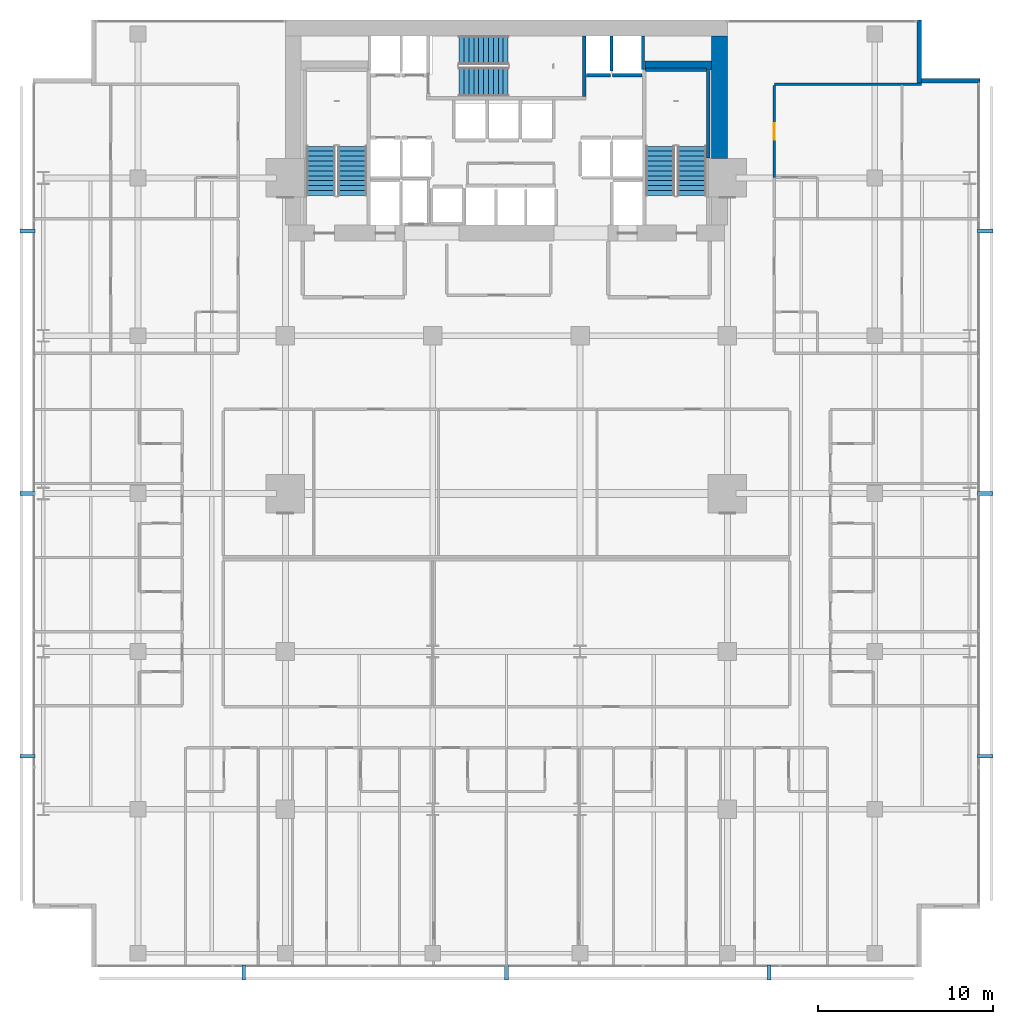
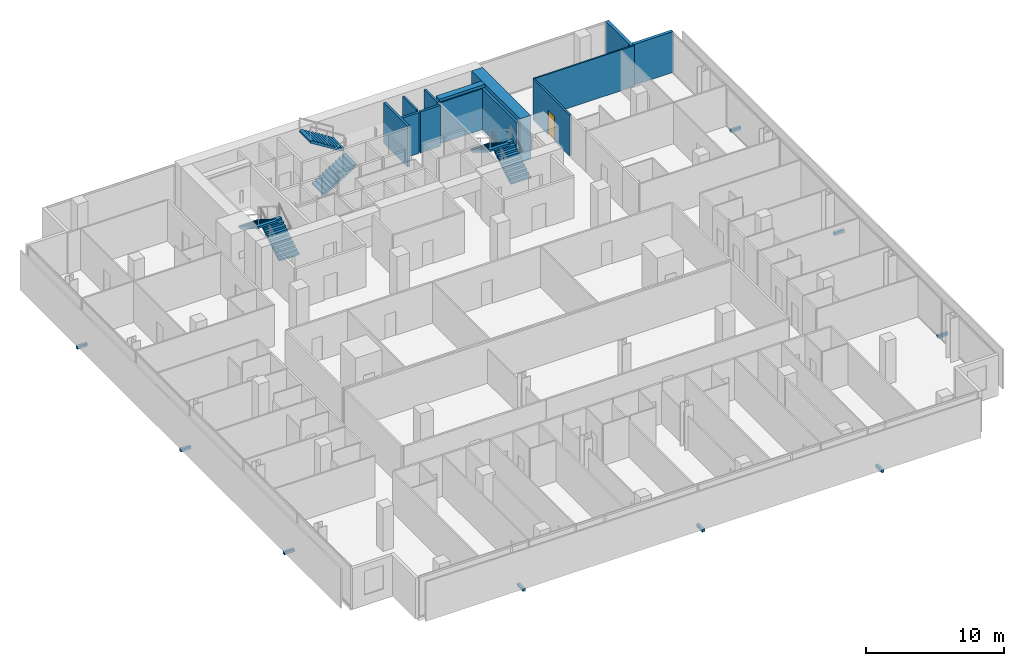
# One storey, part 38 of 40: 13 walls, 9 discrete accessories, 6 stair flights, 1 door, 1 opening, 3 elements without a shape of their own.
"""IFC4 building model written with IfcOpenShell, lengths in metres."""

import ifcopenshell
import ifcopenshell.guid

model = None  # the IFC model being written
_history = None  # IfcOwnerHistory: only IFC2X3 demands one
_inside = {}  # id of a spatial element -> (the spatial element, [elements in it])
_under = {}  # id of a project, library or spatial element -> (it, [spatial elements below it])
_declared = {}  # id of a project -> (the project, [libraries it declares])
_typed = {}  # id of a type object -> (the type object, [elements of that type])
_made_of = {}  # id of a material, layer set ... -> (it, [elements and type objects made of it])


def new_model(schema):
    """Start an empty IFC model of exactly this schema.

    Asked for "IFC4X3", IfcOpenShell would pick the latest addendum, in which some entities
    have other attributes; the version numbers below select the first issue.
    IFC2X3 requires an IfcOwnerHistory on every rooted entity: one is made here for all.
    """
    global model, _history
    if schema == "IFC4X3":
        model = ifcopenshell.file(schema_version=(4, 3, 0, 0))
    else:
        model = ifcopenshell.file(schema=schema)
    _inside.clear()
    _under.clear()
    _declared.clear()
    _typed.clear()
    _made_of.clear()
    _history = None
    if model.schema == "IFC2X3":
        org = make("IfcOrganization", Name="unknown")
        user = make(
            "IfcPersonAndOrganization",
            ThePerson=make("IfcPerson", FamilyName="unknown"),
            TheOrganization=org,
        )
        app = make(
            "IfcApplication",
            ApplicationDeveloper=org,
            Version="unknown",
            ApplicationFullName="unknown",
            ApplicationIdentifier="unknown",
        )
        _history = make(
            "IfcOwnerHistory",
            OwningUser=user,
            OwningApplication=app,
            ChangeAction="ADDED",
            CreationDate=0,
        )
    return model


def make(cls, **values):
    """One entity of the class cls with the attributes given. An attribute that is None is left unset."""
    return model.create_entity(
        cls, **{name: value for name, value in values.items() if value is not None}
    )


def rooted(cls, **values):
    """An entity with a GlobalId (a new one), such as an element, a storey or a relation."""
    return make(cls, GlobalId=ifcopenshell.guid.new(), OwnerHistory=_history, **values)


def si_unit(unit_type, name, prefix=None):
    """IfcSIUnit, for example si_unit("LENGTHUNIT", "METRE", prefix="MILLI")."""
    return make("IfcSIUnit", UnitType=unit_type, Prefix=prefix, Name=name)


def assignment(units):
    """IfcUnitAssignment: the units of a project."""
    return None if units is None else make("IfcUnitAssignment", Units=units)


def point(xyz):
    """IfcCartesianPoint."""
    return None if xyz is None else make("IfcCartesianPoint", Coordinates=xyz)


def direction(xyz):
    """IfcDirection."""
    return None if xyz is None else make("IfcDirection", DirectionRatios=xyz)


def frame(location, z_axis=None, x_axis=None):
    """IfcAxis2Placement3D, a coordinate frame: its origin and axes. An axis left out is left unset."""
    return make(
        "IfcAxis2Placement3D",
        Location=point(location),
        Axis=direction(z_axis),
        RefDirection=direction(x_axis),
    )


def frame_2d(location, x_axis=None):
    """IfcAxis2Placement2D, a coordinate frame in the plane: its origin and x axis."""
    return make(
        "IfcAxis2Placement2D", Location=point(location), RefDirection=direction(x_axis)
    )


def origin():
    """The frame at (0, 0, 0) with its axes left unset."""
    return frame((0.0, 0.0, 0.0))


def origin_2d():
    """The frame at (0, 0) in the plane with its x axis left unset."""
    return frame_2d((0.0, 0.0))


def place(relative_to, where):
    """IfcLocalPlacement: puts the frame where relative to a parent placement (None: the world)."""
    return make(
        "IfcLocalPlacement", PlacementRelTo=relative_to, RelativePlacement=where
    )


def context(
    kind, dimensions, precision=None, world=None, true_north=None, identifier=None
):
    """IfcGeometricRepresentationContext, for example the 3D "Model" context."""
    return make(
        "IfcGeometricRepresentationContext",
        ContextIdentifier=identifier,
        ContextType=kind,
        CoordinateSpaceDimension=dimensions,
        Precision=precision,
        WorldCoordinateSystem=world,
        TrueNorth=true_north,
    )


def subcontext(parent, identifier, kind, view, scale=None):
    """IfcGeometricRepresentationSubContext, for example "Body" below "Model"."""
    return make(
        "IfcGeometricRepresentationSubContext",
        ContextIdentifier=identifier,
        ContextType=kind,
        ParentContext=parent,
        TargetScale=scale,
        TargetView=view,
    )


def project(units=None, contexts=None):
    """IfcProject with its units and contexts."""
    return rooted(
        "IfcProject",
        Name="project",
        RepresentationContexts=contexts,
        UnitsInContext=assignment(units),
    )


def spatial(cls, under=None, at=None, **own):
    """A site, building, storey or space (cls), placed at a placement, below another one or the project."""
    s = rooted(cls, ObjectPlacement=at, **own)
    if under is not None:
        _under.setdefault(under.id(), (under, []))[1].append(s)
    return s


def polyline(points):
    """IfcPolyline through the points."""
    return make("IfcPolyline", Points=[point(p) for p in points])


def profile(cls, at=None, kind="AREA", **sizes):
    """A parametric profile (cls). Its sizes go by their IFC names, for example OverallWidth=200.0."""
    return make(cls, ProfileType=kind, Position=at, **sizes)


def rectangle(**sizes):
    """IfcRectangleProfileDef."""
    return profile("IfcRectangleProfileDef", **sizes)


def outline(outer, holes=None, kind="AREA"):
    """IfcArbitraryClosedProfileDef: a profile drawn as a closed curve; with holes, ...WithVoids."""
    if holes is None:
        return make("IfcArbitraryClosedProfileDef", ProfileType=kind, OuterCurve=outer)
    return make(
        "IfcArbitraryProfileDefWithVoids",
        ProfileType=kind,
        OuterCurve=outer,
        InnerCurves=holes,
    )


def extrude(swept, where, along, depth):
    """IfcExtrudedAreaSolid: the profile swept, set in the frame where, extruded along a direction by depth."""
    return make(
        "IfcExtrudedAreaSolid",
        SweptArea=swept,
        Position=where,
        ExtrudedDirection=direction(along),
        Depth=depth,
    )


def shape(context_of_items, identifier, shape_type, items):
    """IfcShapeRepresentation: the items that make up one representation, for example the "Body"."""
    return make(
        "IfcShapeRepresentation",
        ContextOfItems=context_of_items,
        RepresentationIdentifier=identifier,
        RepresentationType=shape_type,
        Items=items,
    )


def material(Name=None, Category=None):
    """IfcMaterial."""
    return make("IfcMaterial", Name=Name, Category=Category)


def layer(
    of_material, thickness, ventilated=None, Name=None, Category=None, Priority=None
):
    """IfcMaterialLayer: one layer of a wall or slab, of a material (None: an air gap)."""
    return make(
        "IfcMaterialLayer",
        Material=of_material,
        LayerThickness=thickness,
        IsVentilated=ventilated,
        Name=Name,
        Category=Category,
        Priority=Priority,
    )


def layer_set(layers, Name=None):
    """IfcMaterialLayerSet."""
    return make("IfcMaterialLayerSet", MaterialLayers=layers, LayerSetName=Name)


def made_of(thing, what):
    """Note that an element or type object is made of a material, layer set ...; save() writes the relation."""
    if what is not None:
        _made_of.setdefault(what.id(), (what, []))[1].append(thing)
    return thing


def type_object(cls, material=None, **own):
    """A type object (cls), such as IfcWallType, which elements share."""
    return made_of(rooted(cls, **own), material)


def element(
    cls,
    number,
    at=None,
    inside=None,
    cuts=None,
    type_object=None,
    material=None,
    context=None,
    identifier="Body",
    shape_type=None,
    held_by="IfcProductDefinitionShape",
    body=None,
    shapes=None,
    **own,
):
    """One element of the class cls, such as IfcWall. Its Tag is "e" and its number.

    at: its placement. inside: the storey or other place that contains it. cuts: it is an
    opening in that element (IfcRelVoidsElement). A single representation is given by context,
    identifier, shape_type and body (its items); several are given by shapes. held_by: the class
    of the entity that holds the representations. save() writes the other relations.
    """
    e = rooted(cls, Tag="e%d" % number, ObjectPlacement=at, **own)
    if body is not None:
        shapes = [shape(context, identifier, shape_type, body)]
    if shapes is not None:
        e.Representation = make(held_by, Representations=shapes)
    if inside is not None:
        _inside.setdefault(inside.id(), (inside, []))[1].append(e)
    if cuts is not None:
        rooted(
            "IfcRelVoidsElement", RelatingBuildingElement=cuts, RelatedOpeningElement=e
        )
    if type_object is not None:
        _typed.setdefault(type_object.id(), (type_object, []))[1].append(e)
    return made_of(e, material)


def fill(opening, filler):
    """IfcRelFillsElement: the door or window that sits in an opening."""
    return rooted(
        "IfcRelFillsElement",
        RelatingOpeningElement=opening,
        RelatedBuildingElement=filler,
    )


def aggregate(whole, parts):
    """IfcRelAggregates: a whole, such as a stair, and the parts it consists of."""
    return rooted("IfcRelAggregates", RelatingObject=whole, RelatedObjects=parts)


def save(model, path):
    """Write the relations noted so far, then the file.

    IfcRelAggregates (storeys below a building ...), IfcRelContainedInSpatialStructure (elements
    in a storey), IfcRelDefinesByType, IfcRelAssociatesMaterial and IfcRelDeclares: one each for
    every whole, place, type object, material and project.
    """
    for whole, parts in _under.values():
        aggregate(whole, parts)
    for where, things in _inside.values():
        rooted(
            "IfcRelContainedInSpatialStructure",
            RelatedElements=things,
            RelatingStructure=where,
        )
    for kind, things in _typed.values():
        rooted("IfcRelDefinesByType", RelatedObjects=things, RelatingType=kind)
    for what, things in _made_of.values():
        rooted("IfcRelAssociatesMaterial", RelatedObjects=things, RelatingMaterial=what)
    for by, libraries in _declared.values():
        rooted("IfcRelDeclares", RelatingContext=by, RelatedDefinitions=libraries)
    model.write(path)


model = new_model("IFC4")

# Units and contexts
model_context = context("Model", 3, precision=1e-05, world=origin(), true_north=direction((0.0, 1.0)))
body_context = subcontext(model_context, "Body", "Model", "MODEL_VIEW")
ifc_project = project(units=[si_unit("LENGTHUNIT", "METRE"), si_unit("AREAUNIT", "SQUARE_METRE"), si_unit("VOLUMEUNIT", "CUBIC_METRE"), si_unit("PLANEANGLEUNIT", "RADIAN"), si_unit("MASSUNIT", "GRAM", prefix="KILO")], contexts=[model_context])

# Site, building, storey
site_placement = place(None, origin())
site = spatial("IfcSite", under=ifc_project, at=site_placement, CompositionType="ELEMENT")
building_placement = place(site_placement, origin())
building = spatial("IfcBuilding", under=site, at=building_placement, Name="Maruvema Waterfront Hotel and Observation Tower", CompositionType="ELEMENT")
storey_placement = place(building_placement, frame((0.0, 0.0, 30.800048828125)))
storey = spatial("IfcBuildingStorey", under=building, at=storey_placement, Name="L06", CompositionType="ELEMENT", Elevation=30.800048828125)

# Wall, opening, door
ifc_material_1 = material(Name="Twin-stud acoustic gypsum drywall", Category="gypsum")
ifc_layer_1 = layer(ifc_material_1, 0.14990234375, Name="Acoustic Corridor and Suite Demising Wall 150 mm")
ifc_layer_set_1 = layer_set([ifc_layer_1], Name="Twin-stud acoustic gypsum drywall")
wall_type_1 = type_object("IfcWallType", Name="Acoustic Corridor and Suite Demising Wall 150 mm", PredefinedType="PARTITIONING", material=ifc_layer_set_1)
wall_1_placement = place(storey_placement, frame((53.080078125, 45.018798828125, 0.0), z_axis=(0.0, 0.0, 1.0), x_axis=(0.0, 1.0, 0.0)))
wall_1 = element("IfcWall", 1, at=wall_1_placement, inside=storey, type_object=wall_type_1, Name="L06 Room L06-NE2 Corridor Wall 139", PredefinedType="PARTITIONING", context=body_context, shape_type="SweptSolid", body=[
    extrude(rectangle(XDim=5.2587890625, YDim=0.14990234375, at=frame_2d((2.62939453125, 0.0))), origin(), (0.0, 0.0, 1.0), 3.60986328125),
])
opening_placement = place(wall_1_placement, frame((2.154296875, 0.0, 0.0)))
opening = element("IfcOpeningElement", 2, at=opening_placement, cuts=wall_1, Name="Opening DR-095", PredefinedType="OPENING", context=body_context, shape_type="SweptSolid", body=[
    extrude(rectangle(XDim=0.949951171875, YDim=2.14990234375, at=frame_2d((0.47509765625, 1.074951171875))), frame((0.0, 0.0849609375, 0.0), z_axis=(0.0, -1.0, 0.0), x_axis=(1.0, 0.0, 0.0)), (0.0, 0.0, 1.0), 0.169921875),
])
ifc_material_2 = material(Name="Acoustic solid-core hardwood timber leaf", Category="wood")
door_type = type_object("IfcDoorType", Name="Guestroom Entrance Fire Door 950x2150 mm", OperationType="NOTDEFINED", PredefinedType="DOOR", material=ifc_material_2)
door_placement = place(opening_placement, frame((0.949951171875, 0.0, 0.0), z_axis=(0.0, 0.0, 1.0), x_axis=(-1.0, 0.0, 0.0)))
door = element("IfcDoor", 3, at=door_placement, inside=storey, type_object=door_type, Name="L06 Room L06-NE2 Entrance Door", OperationType="SINGLE_SWING_LEFT", OverallHeight=2.14990234375, OverallWidth=0.949951171875, PredefinedType="DOOR", context=body_context, shape_type="SweptSolid", body=[
    extrude(rectangle(XDim=0.949951171875, YDim=2.14990234375, at=frame_2d((0.47509765625, 1.074951171875))), frame((0.0, 0.02490234375, 0.0), z_axis=(0.0, -1.0, 0.0), x_axis=(1.0, 0.0, 0.0)), (0.0, 0.0, 1.0), 0.050048828125),
])
fill(opening, door)

# Walls
ifc_material_3 = material(Name="Precast concrete C45/55", Category="concrete")
ifc_layer_2 = layer(ifc_material_3, 0.199951171875, Name="Core Shaft and Stairwell Enclosure Wall 200 mm")
ifc_layer_set_2 = layer_set([ifc_layer_2], Name="Precast concrete C45/55")
wall_type_2 = type_object("IfcWallType", Name="Core Shaft and Stairwell Enclosure Wall 200 mm", PredefinedType="SOLIDWALL", material=ifc_layer_set_2)
wall_2_placement = place(storey_placement, frame((42.25, 49.64990234375, 0.0), z_axis=(0.0, 0.0, 1.0), x_axis=(0.0, 1.0, 0.0)))
element("IfcWall", 4, at=wall_2_placement, inside=storey, type_object=wall_type_2, Name="L06 Stairwell ST-02 Shaft Wall", PredefinedType="SOLIDWALL", context=body_context, shape_type="SweptSolid", body=[
    extrude(rectangle(XDim=3.4501953125, YDim=0.199951171875, at=frame_2d((1.72509765625, 0.0))), origin(), (0.0, 0.0, 1.0), 3.60986328125),
])
wall_3_placement = place(storey_placement, frame((49.300048828125, 46.1201171875, 0.0), z_axis=(0.0, 0.0, 1.0), x_axis=(0.0, 1.0, 0.0)))
element("IfcWall", 5, at=wall_3_placement, inside=storey, type_object=wall_type_2, Name="L06 Stairwell ST-03 Shaft Lining Wall", PredefinedType="SOLIDWALL", context=body_context, shape_type="SweptSolid", body=[
    extrude(rectangle(XDim=5.0, YDim=0.199951171875, at=frame_2d((2.5, 0.0))), origin(), (0.0, 0.0, 1.0), 3.60986328125),
])
wall_4_placement = place(storey_placement, frame((45.719970703125, 51.14990234375, 0.0), z_axis=(0.0, 0.0, 1.0), x_axis=(1.0, 0.0, 0.0)))
element("IfcWall", 6, at=wall_4_placement, inside=storey, type_object=wall_type_2, Name="L06 Stairwell ST-03 Shaft Lining Wall", PredefinedType="SOLIDWALL", context=body_context, shape_type="SweptSolid", body=[
    extrude(rectangle(XDim=3.5, YDim=0.199951171875, at=frame_2d((1.75, 0.0))), origin(), (0.0, 0.0, 1.0), 3.60986328125),
])
wall_5_placement = place(storey_placement, frame((42.360107421875, 50.85009765625, 0.0), z_axis=(0.0, 0.0, 1.0), x_axis=(1.0, 0.0, 0.0)))
element("IfcWall", 7, at=wall_5_placement, inside=storey, type_object=wall_type_2, Name="L06 Lift LF-07 Hoistway Front Wall", PredefinedType="SOLIDWALL", context=body_context, shape_type="SweptSolid", body=[
    extrude(rectangle(XDim=1.3798828125, YDim=0.199951171875, at=frame_2d((0.68994140625, 0.0))), origin(), (0.0, 0.0, 1.0), 3.60986328125),
])
wall_6_placement = place(storey_placement, frame((43.860107421875, 50.85009765625, 0.0), z_axis=(0.0, 0.0, 1.0), x_axis=(1.0, 0.0, 0.0)))
element("IfcWall", 8, at=wall_6_placement, inside=storey, type_object=wall_type_2, Name="L06 Lift LF-08 Hoistway Front Wall", PredefinedType="SOLIDWALL", context=body_context, shape_type="SweptSolid", body=[
    extrude(rectangle(XDim=1.679931640625, YDim=0.199951171875, at=frame_2d((0.83984375, 0.0))), origin(), (0.0, 0.0, 1.0), 3.60986328125),
])
ifc_material_4 = material(Name="Concrete C70/85", Category="concrete")
ifc_layer_3 = layer(ifc_material_4, 0.5, Name="Core Shear Wall 500 mm")
ifc_layer_set_3 = layer_set([ifc_layer_3], Name="Concrete C70/85")
wall_type_3 = type_object("IfcWallType", Name="Core Shear Wall 500 mm", PredefinedType="SHEAR", material=ifc_layer_set_3)
wall_7_placement = place(storey_placement, frame((45.699951171875, 51.39990234375, 0.0), z_axis=(0.0, 0.0, 1.0), x_axis=(1.0, 0.0, 0.0)))
element("IfcWall", 9, at=wall_7_placement, inside=storey, type_object=wall_type_3, Name="L06 Internal Core Shear Wall NE 500 mm", PredefinedType="SHEAR", context=body_context, shape_type="SweptSolid", body=[
    extrude(rectangle(XDim=3.800048828125, YDim=0.5, at=frame_2d((1.89990234375, 0.0))), origin(), (0.0, 0.0, 1.0), 3.849853515625),
])
ifc_material_5 = material(Name="Concrete C80/95", Category="concrete")
ifc_layer_4 = layer(ifc_material_5, 0.89990234375, Name="Core Shear Wall 900 mm")
ifc_layer_set_4 = layer_set([ifc_layer_4], Name="Concrete C80/95")
wall_type_4 = type_object("IfcWallType", Name="Core Shear Wall 900 mm", PredefinedType="SHEAR", material=ifc_layer_set_4)
wall_8_placement = place(storey_placement, frame((49.949951171875, 46.10009765625, 0.0), z_axis=(0.0, 0.0, 1.0), x_axis=(0.0, 1.0, 0.0)))
element("IfcWall", 10, at=wall_8_placement, inside=storey, type_object=wall_type_4, Name="L06 East-North Core Shear Wall", PredefinedType="SHEAR", context=body_context, shape_type="SweptSolid", body=[
    extrude(rectangle(XDim=7.0, YDim=0.89990234375, at=frame_2d((3.5, 0.0))), origin(), (0.0, 0.0, 1.0), 3.849853515625),
])
ifc_material_6 = material(Name="Precast concrete C45/55 with honed Pernambuco granite facing", Category="masonry")
ifc_layer_5 = layer(ifc_material_6, 0.260009765625, Name="Exterior Granite Clad Spandrel and Pier Wall 260 mm")
ifc_layer_set_5 = layer_set([ifc_layer_5], Name="Precast concrete C45/55 with honed Pernambuco granite facing")
wall_type_5 = type_object("IfcWallType", Name="Exterior Granite Clad Spandrel and Pier Wall 260 mm", PredefinedType="SOLIDWALL", material=ifc_layer_set_5)
for number, where, z_axis, x_axis, name in (
    (11, (61.330078125, 54.0, 0.0), (0.0, 0.0, 1.0), (0.0, -1.0, 0.0), "L06 Corner Notch Granite Pier Wall NE1"),
    (12, (61.199951171875, 50.530029296875, 0.0), (0.0, 0.0, 1.0), (1.0, 0.0, 0.0), "L06 Corner Notch Granite Pier Wall NE2"),
):
    element("IfcWall", number, at=place(storey_placement, frame(where, z_axis=z_axis, x_axis=x_axis)), inside=storey, type_object=wall_type_5, Name=name, PredefinedType="SOLIDWALL", context=body_context, shape_type="SweptSolid", body=[
        extrude(rectangle(XDim=3.60009765625, YDim=0.260009765625, at=frame_2d((1.800048828125, 0.0))), origin(), (0.0, 0.0, 1.0), 3.60986328125),
    ])
ifc_material_7 = material(Name="Acoustic gypsum plasterboard drywall", Category="gypsum")
ifc_layer_6 = layer(ifc_material_7, 0.125, Name="Guestroom Acoustic Demising Wall 125 mm")
ifc_layer_set_6 = layer_set([ifc_layer_6], Name="Acoustic gypsum plasterboard drywall")
wall_type_6 = type_object("IfcWallType", Name="Guestroom Acoustic Demising Wall 125 mm", PredefinedType="PARTITIONING", material=ifc_layer_set_6)
wall_9_placement = place(storey_placement, frame((53.080078125, 50.33740234375, 0.0), z_axis=(0.0, 0.0, 1.0), x_axis=(1.0, 0.0, 0.0)))
element("IfcWall", 13, at=wall_9_placement, inside=storey, type_object=wall_type_6, Name="L06 NE Top End 120", PredefinedType="PARTITIONING", context=body_context, shape_type="SweptSolid", body=[
    extrude(rectangle(XDim=8.3798828125, YDim=0.125, at=frame_2d((4.18994140625, 0.0))), origin(), (0.0, 0.0, 1.0), 3.60986328125),
])
ifc_material_8 = material(Name="Precast concrete C45/55", Category="concrete")
ifc_layer_7 = layer(ifc_material_8, 0.159912109375, Name="Lift Hoistway Divider Wall 160 mm")
ifc_layer_set_7 = layer_set([ifc_layer_7], Name="Precast concrete C45/55")
wall_type_7 = type_object("IfcWallType", Name="Lift Hoistway Divider Wall 160 mm", PredefinedType="SOLIDWALL", material=ifc_layer_set_7)
wall_10_placement = place(storey_placement, frame((45.590087890625, 51.179931640625, 0.0), z_axis=(0.0, 0.0, 1.0), x_axis=(0.0, 1.0, 0.0)))
element("IfcWall", 14, at=wall_10_placement, inside=storey, type_object=wall_type_7, Name="L06 Hoistway Divider Wall", PredefinedType="SOLIDWALL", context=body_context, shape_type="SweptSolid", body=[
    extrude(rectangle(XDim=1.920166015625, YDim=0.159912109375, at=frame_2d((0.9599609375, 0.0))), origin(), (0.0, 0.0, 1.0), 3.60986328125),
])
wall_11_placement = place(storey_placement, frame((43.800048828125, 51.10009765625, 0.0), z_axis=(0.0, 0.0, 1.0), x_axis=(0.0, 1.0, 0.0)))
element("IfcWall", 15, at=wall_11_placement, inside=storey, type_object=wall_type_7, Name="L06 Hoistway Divider Wall", PredefinedType="SOLIDWALL", context=body_context, shape_type="SweptSolid", body=[
    extrude(rectangle(XDim=2.0, YDim=0.159912109375, at=frame_2d((1.0, 0.0))), origin(), (0.0, 0.0, 1.0), 3.60986328125),
])

# Stair, stair flights
ifc_material_9 = material(Name="Concrete C50/60", Category="concrete")
stair_type = type_object("IfcStairType", Name="Dogleg Exit Stair 1650 mm (22R x 175.0 mm)", PredefinedType="HALF_TURN_STAIR", material=ifc_material_9)
stair_1_placement = place(storey_placement, origin())
stair_1 = element("IfcStair", 16, at=stair_1_placement, inside=storey, type_object=stair_type, Name="L06 ST-01", PredefinedType="HALF_TURN_STAIR")
ifc_material_10 = material(Name="Concrete C50/60", Category="concrete")
stair_flight_type = type_object("IfcStairFlightType", Name="Reinforced Concrete Stair Flight 1650 mm (11R x 175.0 mm)", PredefinedType="STRAIGHT", material=ifc_material_10)
stair_flight_1_placement = place(storey_placement, frame((29.02490234375, 44.0, 0.0), z_axis=(0.0, 0.0, 1.0), x_axis=(0.0, 1.0, 0.0)))
stair_flight_1 = element("IfcStairFlight", 17, at=stair_flight_1_placement, type_object=stair_flight_type, Name="ST-01 flight 1", NumberOfRisers=11, NumberOfTreads=10, PredefinedType="STRAIGHT", RiserHeight=0.175, TreadLength=0.28, context=body_context, shape_type="SweptSolid", body=[
    extrude(outline(polyline([(0.0, 0.0), (0.0, 0.175048828125), (0.280029296875, 0.175048828125), (0.280029296875, 0.35009765625), (0.56005859375, 0.35009765625), (0.56005859375, 0.52490234375), (0.840087890625, 0.52490234375), (0.840087890625, 0.699951171875), (1.1201171875, 0.699951171875), (1.1201171875, 0.875), (1.39990234375, 0.875), (1.39990234375, 1.050048828125), (1.679931640625, 1.050048828125), (1.679931640625, 1.22509765625), (1.9599609375, 1.22509765625), (1.9599609375, 1.39990234375), (2.239990234375, 1.39990234375), (2.239990234375, 1.574951171875), (2.52001953125, 1.574951171875), (2.52001953125, 1.75), (2.800048828125, 1.75), (2.800048828125, 1.925048828125), (2.800048828125, 1.5732421875), (0.28271484375, 0.0), (0.0, 0.0)])), frame((0.0, 0.824951171875, 0.0), z_axis=(0.0, -1.0, 0.0), x_axis=(1.0, 0.0, 0.0)), (0.0, 0.0, 1.0), 1.64990234375),
])
stair_flight_2_placement = place(storey_placement, frame((27.22509765625, 46.800048828125, 1.925048828125), z_axis=(0.0, 0.0, 1.0), x_axis=(0.0, -1.0, 0.0)))
stair_flight_2 = element("IfcStairFlight", 18, at=stair_flight_2_placement, type_object=stair_flight_type, Name="ST-01 flight 2", NumberOfRisers=11, NumberOfTreads=10, PredefinedType="STRAIGHT", RiserHeight=0.175, TreadLength=0.28, context=body_context, shape_type="SweptSolid", body=[
    extrude(outline(polyline([(0.0, 0.0), (0.0, 0.175048828125), (0.280029296875, 0.175048828125), (0.280029296875, 0.35009765625), (0.56005859375, 0.35009765625), (0.56005859375, 0.52490234375), (0.840087890625, 0.52490234375), (0.840087890625, 0.699951171875), (1.1201171875, 0.699951171875), (1.1201171875, 0.875), (1.39990234375, 0.875), (1.39990234375, 1.050048828125), (1.679931640625, 1.050048828125), (1.679931640625, 1.22509765625), (1.9599609375, 1.22509765625), (1.9599609375, 1.39990234375), (2.239990234375, 1.39990234375), (2.239990234375, 1.574951171875), (2.52001953125, 1.574951171875), (2.52001953125, 1.75), (2.800048828125, 1.75), (2.800048828125, 1.925048828125), (2.800048828125, 1.5732421875), (0.28271484375, 0.0), (0.0, 0.0)])), frame((0.0, 0.824951171875, 0.0), z_axis=(0.0, -1.0, 0.0), x_axis=(1.0, 0.0, 0.0)), (0.0, 0.0, 1.0), 1.64990234375),
])
aggregate(stair_1, [stair_flight_1, stair_flight_2])

stair_2_placement = place(storey_placement, origin())
stair_2 = element("IfcStair", 19, at=stair_2_placement, inside=storey, type_object=stair_type, Name="L06 ST-02", PredefinedType="HALF_TURN_STAIR")
stair_flight_3_placement = place(storey_placement, frame((35.10009765625, 50.47509765625, 0.0), z_axis=(0.0, 0.0, 1.0), x_axis=(1.0, 0.0, 0.0)))
stair_flight_3 = element("IfcStairFlight", 20, at=stair_flight_3_placement, type_object=stair_flight_type, Name="ST-02 flight 1", NumberOfRisers=11, NumberOfTreads=10, PredefinedType="STRAIGHT", RiserHeight=0.175, TreadLength=0.28, context=body_context, shape_type="SweptSolid", body=[
    extrude(outline(polyline([(0.0, 0.0), (0.0, 0.175048828125), (0.280029296875, 0.175048828125), (0.280029296875, 0.35009765625), (0.56005859375, 0.35009765625), (0.56005859375, 0.52490234375), (0.840087890625, 0.52490234375), (0.840087890625, 0.699951171875), (1.1201171875, 0.699951171875), (1.1201171875, 0.875), (1.39990234375, 0.875), (1.39990234375, 1.050048828125), (1.679931640625, 1.050048828125), (1.679931640625, 1.22509765625), (1.9599609375, 1.22509765625), (1.9599609375, 1.39990234375), (2.239990234375, 1.39990234375), (2.239990234375, 1.574951171875), (2.52001953125, 1.574951171875), (2.52001953125, 1.75), (2.800048828125, 1.75), (2.800048828125, 1.925048828125), (2.800048828125, 1.5732421875), (0.28271484375, 0.0), (0.0, 0.0)])), frame((0.0, 0.824951171875, 0.0), z_axis=(0.0, -1.0, 0.0), x_axis=(1.0, 0.0, 0.0)), (0.0, 0.0, 1.0), 1.64990234375),
])
stair_flight_4_placement = place(storey_placement, frame((37.89990234375, 52.27490234375, 1.925048828125), z_axis=(0.0, 0.0, 1.0), x_axis=(-1.0, 0.0, 0.0)))
stair_flight_4 = element("IfcStairFlight", 21, at=stair_flight_4_placement, type_object=stair_flight_type, Name="ST-02 flight 2", NumberOfRisers=11, NumberOfTreads=10, PredefinedType="STRAIGHT", RiserHeight=0.175, TreadLength=0.28, context=body_context, shape_type="SweptSolid", body=[
    extrude(outline(polyline([(0.0, 0.0), (0.0, 0.175048828125), (0.280029296875, 0.175048828125), (0.280029296875, 0.35009765625), (0.56005859375, 0.35009765625), (0.56005859375, 0.52490234375), (0.840087890625, 0.52490234375), (0.840087890625, 0.699951171875), (1.1201171875, 0.699951171875), (1.1201171875, 0.875), (1.39990234375, 0.875), (1.39990234375, 1.050048828125), (1.679931640625, 1.050048828125), (1.679931640625, 1.22509765625), (1.9599609375, 1.22509765625), (1.9599609375, 1.39990234375), (2.239990234375, 1.39990234375), (2.239990234375, 1.574951171875), (2.52001953125, 1.574951171875), (2.52001953125, 1.75), (2.800048828125, 1.75), (2.800048828125, 1.925048828125), (2.800048828125, 1.5732421875), (0.28271484375, 0.0), (0.0, 0.0)])), frame((0.0, 0.824951171875, 0.0), z_axis=(0.0, -1.0, 0.0), x_axis=(1.0, 0.0, 0.0)), (0.0, 0.0, 1.0), 1.64990234375),
])
aggregate(stair_2, [stair_flight_3, stair_flight_4])

stair_3_placement = place(storey_placement, origin())
stair_3 = element("IfcStair", 22, at=stair_3_placement, inside=storey, type_object=stair_type, Name="L06 ST-03", PredefinedType="HALF_TURN_STAIR")
stair_flight_5_placement = place(storey_placement, frame((48.375, 44.0, 0.0), z_axis=(0.0, 0.0, 1.0), x_axis=(0.0, 1.0, 0.0)))
stair_flight_5 = element("IfcStairFlight", 23, at=stair_flight_5_placement, type_object=stair_flight_type, Name="ST-03 flight 1", NumberOfRisers=11, NumberOfTreads=10, PredefinedType="STRAIGHT", RiserHeight=0.175, TreadLength=0.28, context=body_context, shape_type="SweptSolid", body=[
    extrude(outline(polyline([(0.0, 0.0), (0.0, 0.175048828125), (0.280029296875, 0.175048828125), (0.280029296875, 0.35009765625), (0.56005859375, 0.35009765625), (0.56005859375, 0.52490234375), (0.840087890625, 0.52490234375), (0.840087890625, 0.699951171875), (1.1201171875, 0.699951171875), (1.1201171875, 0.875), (1.39990234375, 0.875), (1.39990234375, 1.050048828125), (1.679931640625, 1.050048828125), (1.679931640625, 1.22509765625), (1.9599609375, 1.22509765625), (1.9599609375, 1.39990234375), (2.239990234375, 1.39990234375), (2.239990234375, 1.574951171875), (2.52001953125, 1.574951171875), (2.52001953125, 1.75), (2.800048828125, 1.75), (2.800048828125, 1.925048828125), (2.800048828125, 1.5732421875), (0.28271484375, 0.0), (0.0, 0.0)])), frame((0.0, 0.824951171875, 0.0), z_axis=(0.0, -1.0, 0.0), x_axis=(1.0, 0.0, 0.0)), (0.0, 0.0, 1.0), 1.64990234375),
])
stair_flight_6_placement = place(storey_placement, frame((46.574951171875, 46.800048828125, 1.925048828125), z_axis=(0.0, 0.0, 1.0), x_axis=(0.0, -1.0, 0.0)))
stair_flight_6 = element("IfcStairFlight", 24, at=stair_flight_6_placement, type_object=stair_flight_type, Name="ST-03 flight 2", NumberOfRisers=11, NumberOfTreads=10, PredefinedType="STRAIGHT", RiserHeight=0.175, TreadLength=0.28, context=body_context, shape_type="SweptSolid", body=[
    extrude(outline(polyline([(0.0, 0.0), (0.0, 0.175048828125), (0.280029296875, 0.175048828125), (0.280029296875, 0.35009765625), (0.56005859375, 0.35009765625), (0.56005859375, 0.52490234375), (0.840087890625, 0.52490234375), (0.840087890625, 0.699951171875), (1.1201171875, 0.699951171875), (1.1201171875, 0.875), (1.39990234375, 0.875), (1.39990234375, 1.050048828125), (1.679931640625, 1.050048828125), (1.679931640625, 1.22509765625), (1.9599609375, 1.22509765625), (1.9599609375, 1.39990234375), (2.239990234375, 1.39990234375), (2.239990234375, 1.574951171875), (2.52001953125, 1.574951171875), (2.52001953125, 1.75), (2.800048828125, 1.75), (2.800048828125, 1.925048828125), (2.800048828125, 1.5732421875), (0.28271484375, 0.0), (0.0, 0.0)])), frame((0.0, 0.824951171875, 0.0), z_axis=(0.0, -1.0, 0.0), x_axis=(1.0, 0.0, 0.0)), (0.0, 0.0, 1.0), 1.64990234375),
])
aggregate(stair_3, [stair_flight_5, stair_flight_6])

# Discrete accessories
ifc_material_11 = material(Name="Duplex stainless steel Grade 2205", Category="steel")
discrete_accessory_type = type_object("IfcDiscreteAccessoryType", Name="Double-Skin Cavity Stainless Outrigger Bracket", PredefinedType="BRACKET", material=ifc_material_11)
for number, where, z_axis, x_axis, name in (
    (25, (22.823974609375, -0.300048828125, -0.14013671875), (0.0, 0.0, 1.0), (1.0, 0.0, 0.0), "L06 Outer Skin Support Bracket 1"),
    (26, (37.800048828125, -0.300048828125, -0.14013671875), (0.0, 0.0, 1.0), (1.0, 0.0, 0.0), "L06 Outer Skin Support Bracket 2"),
    (27, (52.77587890625, -0.300048828125, -0.14013671875), (0.0, 0.0, 1.0), (1.0, 0.0, 0.0), "L06 Outer Skin Support Bracket 3"),
    (28, (65.10009765625, 12.02392578125, -0.14013671875), (0.0, 0.0, 1.0), (0.0, 1.0, 0.0), "L06 Outer Skin Support Bracket 1"),
    (29, (65.10009765625, 27.0, -0.14013671875), (0.0, 0.0, 1.0), (0.0, 1.0, 0.0), "L06 Outer Skin Support Bracket 2"),
    (30, (65.10009765625, 41.97607421875, -0.14013671875), (0.0, 0.0, 1.0), (0.0, 1.0, 0.0), "L06 Outer Skin Support Bracket 3"),
    (31, (10.5, 41.97607421875, -0.14013671875), (0.0, 0.0, 1.0), (0.0, -1.0, 0.0), "L06 Outer Skin Support Bracket 1"),
    (32, (10.5, 27.0, -0.14013671875), (0.0, 0.0, 1.0), (0.0, -1.0, 0.0), "L06 Outer Skin Support Bracket 2"),
    (33, (10.5, 12.02392578125, -0.14013671875), (0.0, 0.0, 1.0), (0.0, -1.0, 0.0), "L06 Outer Skin Support Bracket 3"),
):
    element("IfcDiscreteAccessory", number, at=place(storey_placement, frame(where, z_axis=z_axis, x_axis=x_axis)), inside=storey, type_object=discrete_accessory_type, Name=name, PredefinedType="BRACKET", context=body_context, shape_type="SweptSolid", body=[
        extrude(rectangle(XDim=0.219970703125, YDim=0.860107421875, at=origin_2d()), origin(), (0.0, 0.0, 1.0), 0.239990234375),
    ])

save(model, "model.ifc")
